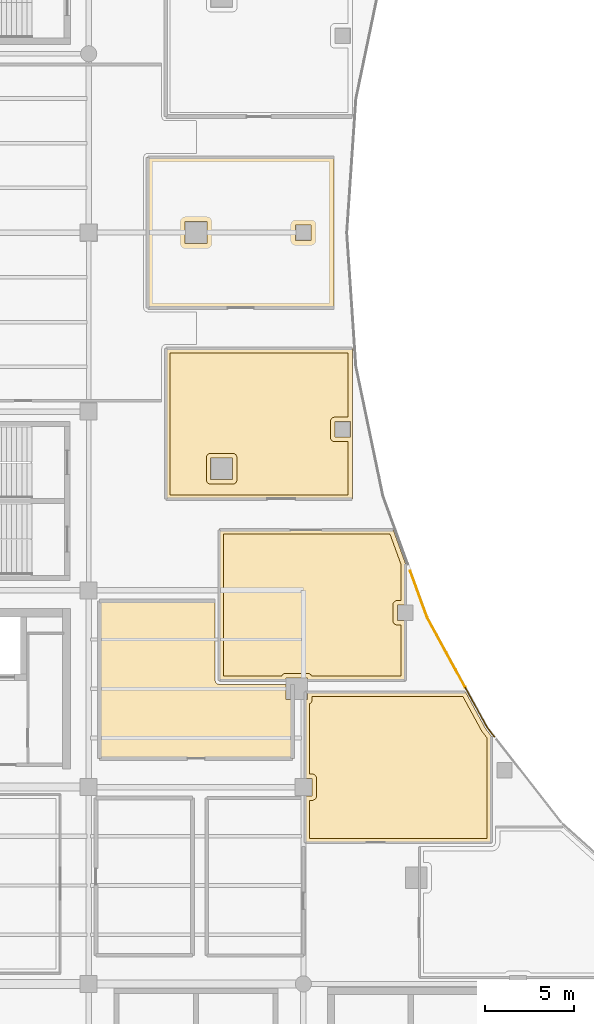
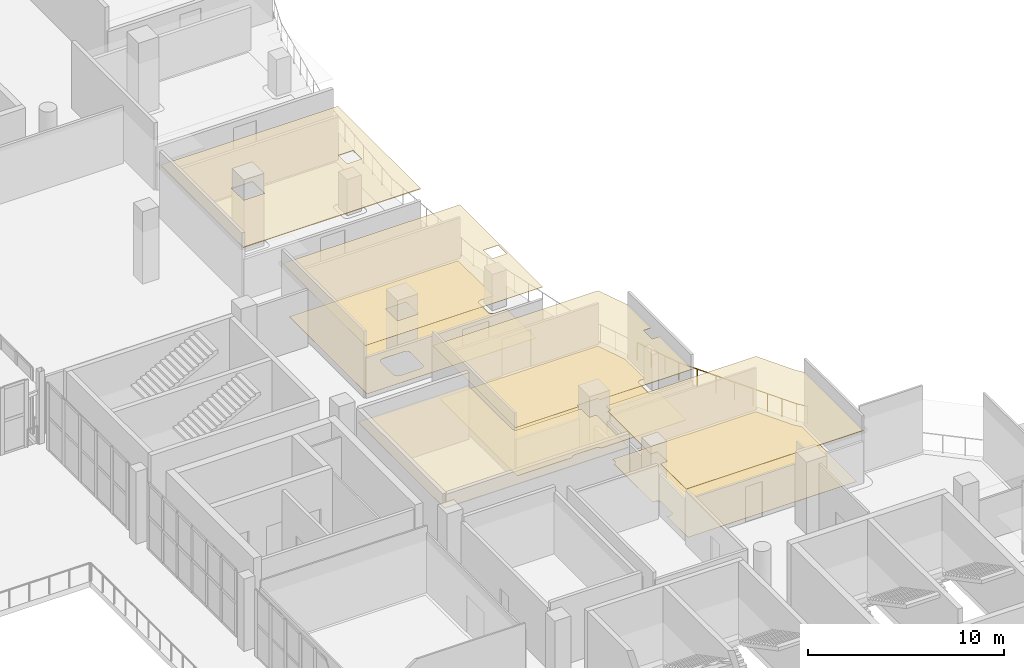
# One storey, part 81 of 90: 8 coverings, 2 railings.
"""IFC4 building model written with IfcOpenShell, lengths in metres."""

from ifc_helpers import new_model, si_unit, direction, frame, origin, origin_2d, place, context, subcontext, project, spatial, polyline, circle, outline, extrude, material, layer, layer_set, type_object, element, save


model = new_model("IFC4")

# Units and contexts
model_context = context("Model", 3, precision=1e-05, world=origin(), true_north=direction((0.0, 1.0)))
body_context = subcontext(model_context, "Body", "Model", "MODEL_VIEW")
ifc_project = project(units=[si_unit("LENGTHUNIT", "METRE"), si_unit("AREAUNIT", "SQUARE_METRE"), si_unit("VOLUMEUNIT", "CUBIC_METRE"), si_unit("PLANEANGLEUNIT", "RADIAN"), si_unit("MASSUNIT", "GRAM", prefix="KILO")], contexts=[model_context])

# Site, building, storey
site_placement = place(None, origin())
site = spatial("IfcSite", under=ifc_project, at=site_placement, CompositionType="ELEMENT")
building_placement = place(site_placement, origin())
building = spatial("IfcBuilding", under=site, at=building_placement, Name="Brinegate Civic Arena", CompositionType="ELEMENT")
storey_placement = place(building_placement, frame((0.0, 0.0, 14.699951171875)))
storey = spatial("IfcBuildingStorey", under=building, at=storey_placement, Name="L03", CompositionType="ELEMENT", Elevation=14.699951171875)

# Coverings
ifc_material_1 = material(Name="Acoustic perforated aluminium ceiling", Category="aluminium")
ifc_layer_1 = layer(ifc_material_1, 0.02490234375, Name="Acoustic perforated aluminium ceiling")
ifc_layer_set_1 = layer_set([ifc_layer_1], Name="Acoustic perforated aluminium ceiling")
covering_type_1 = type_object("IfcCoveringType", Name="CEILING-ACOUSTIC-25", PredefinedType="CEILING", material=ifc_layer_set_1)
covering_1_placement = place(storey_placement, frame((0.0, 0.0, 3.235107421875)))
element("IfcCovering", 1, at=covering_1_placement, inside=storey, type_object=covering_type_1, Name="Acoustic Ceiling L03-207", PredefinedType="CEILING", context=body_context, shape_type="SweptSolid", body=[
    extrude(outline(polyline([(67.2939453125, 36.95703125), (67.2919921875, 36.9580078125), (67.2900390625, 36.958984375), (67.2890625, 36.958984375), (67.287109375, 36.9599609375), (67.284912109375, 36.9619140625), (67.283935546875, 36.962890625), (67.282958984375, 36.964111328125), (67.281005859375, 36.966064453125), (67.280029296875, 36.968017578125), (67.280029296875, 36.968994140625), (67.279052734375, 36.970947265625), (67.278076171875, 36.972900390625), (67.278076171875, 36.97509765625), (67.278076171875, 36.97705078125), (67.278076171875, 45.376953125), (67.278076171875, 45.37890625), (67.278076171875, 45.381103515625), (67.279052734375, 45.383056640625), (67.280029296875, 45.385009765625), (67.280029296875, 45.385986328125), (67.281005859375, 45.387939453125), (67.282958984375, 45.389892578125), (67.283935546875, 45.39111328125), (67.284912109375, 45.39208984375), (67.287109375, 45.39404296875), (67.2890625, 45.39501953125), (67.2900390625, 45.39501953125), (67.2919921875, 45.39599609375), (67.2939453125, 45.39697265625), (67.2958984375, 45.39697265625), (67.298095703125, 45.39697265625), (77.0029296875, 45.39697265625), (77.0048828125, 45.39697265625), (77.007080078125, 45.39697265625), (77.009033203125, 45.39599609375), (77.010986328125, 45.39501953125), (77.012939453125, 45.39404296875), (77.013916015625, 45.39306640625), (77.01611328125, 45.39208984375), (77.01806640625, 45.39111328125), (77.01904296875, 45.388916015625), (77.02001953125, 45.386962890625), (77.02099609375, 45.385986328125), (77.02197265625, 45.384033203125), (77.717041015625, 43.471923828125), (77.717041015625, 43.469970703125), (77.718017578125, 43.468017578125), (77.718017578125, 43.467041015625), (77.718017578125, 43.465087890625), (77.718017578125, 41.18505859375), (77.25390625, 41.18505859375), (77.25390625, 40.31494140625), (77.718017578125, 40.31494140625), (77.718017578125, 36.97705078125), (77.718017578125, 36.97509765625), (77.718017578125, 36.972900390625), (77.717041015625, 36.970947265625), (77.716064453125, 36.968994140625), (77.716064453125, 36.968017578125), (77.715087890625, 36.966064453125), (77.712890625, 36.964111328125), (77.7119140625, 36.962890625), (77.7109375, 36.9619140625), (77.708984375, 36.9599609375), (77.70703125, 36.958984375), (77.7060546875, 36.958984375), (77.7041015625, 36.9580078125), (77.701904296875, 36.95703125), (77.699951171875, 36.95703125), (77.697998046875, 36.95703125), (72.237060546875, 36.95703125), (72.237060546875, 37.110107421875), (71.01708984375, 37.110107421875), (71.01708984375, 36.95703125), (67.298095703125, 36.95703125), (67.2958984375, 36.95703125), (67.2939453125, 36.95703125)])), origin(), (0.0, 0.0, 1.0), 0.02490234375),
])
ifc_layer_2 = layer(ifc_material_1, 0.034912109375, Name="Acoustic perforated aluminium ceiling")
ifc_layer_set_2 = layer_set([ifc_layer_2], Name="Acoustic perforated aluminium ceiling")
covering_type_2 = type_object("IfcCoveringType", Name="CEILING-ACOUSTIC-35", PredefinedType="CEILING", material=ifc_layer_set_2)
covering_2_placement = place(storey_placement, frame((0.0, 0.0, 3.22509765625)))
element("IfcCovering", 2, at=covering_2_placement, inside=storey, type_object=covering_type_2, Name="Acoustic Ceiling L03-208", PredefinedType="CEILING", context=body_context, shape_type="SweptSolid", body=[
    extrude(outline(polyline([(72.09912109375, 27.886962890625), (72.096923828125, 27.887939453125), (72.094970703125, 27.888916015625), (72.093994140625, 27.888916015625), (72.092041015625, 27.889892578125), (72.090087890625, 27.89208984375), (72.089111328125, 27.89306640625), (72.087890625, 27.89404296875), (72.0859375, 27.89599609375), (72.0849609375, 27.89794921875), (72.0849609375, 27.89892578125), (72.083984375, 27.90087890625), (72.0830078125, 27.903076171875), (72.0830078125, 27.905029296875), (72.0830078125, 27.906982421875), (72.0830078125, 30.514892578125), (72.485107421875, 30.514892578125), (72.485107421875, 31.485107421875), (72.0830078125, 31.485107421875), (72.0830078125, 35.889892578125), (72.237060546875, 35.889892578125), (72.237060546875, 36.326904296875), (81.048095703125, 36.326904296875), (81.050048828125, 36.326904296875), (81.052001953125, 36.326904296875), (81.053955078125, 36.325927734375), (81.055908203125, 36.325927734375), (81.056884765625, 36.324951171875), (81.05908203125, 36.323974609375), (81.06103515625, 36.322998046875), (81.06201171875, 36.321044921875), (81.06298828125, 36.320068359375), (81.06494140625, 36.318115234375), (81.06591796875, 36.31689453125), (82.178955078125, 34.27392578125), (82.196044921875, 34.2490234375), (82.51904296875, 33.8349609375), (82.52001953125, 33.833984375), (82.52099609375, 33.83203125), (82.52197265625, 33.830078125), (82.52197265625, 33.8291015625), (82.52294921875, 33.826904296875), (82.52294921875, 33.824951171875), (82.52294921875, 33.822998046875), (82.52294921875, 27.906982421875), (82.52294921875, 27.905029296875), (82.52294921875, 27.903076171875), (82.52197265625, 27.90087890625), (82.52099609375, 27.89892578125), (82.52099609375, 27.89794921875), (82.52001953125, 27.89599609375), (82.51806640625, 27.89404296875), (82.51708984375, 27.89306640625), (82.51611328125, 27.89208984375), (82.513916015625, 27.889892578125), (82.511962890625, 27.888916015625), (82.510986328125, 27.888916015625), (82.509033203125, 27.887939453125), (82.507080078125, 27.886962890625), (82.5048828125, 27.886962890625), (82.5029296875, 27.886962890625), (72.10302734375, 27.886962890625), (72.10107421875, 27.886962890625), (72.09912109375, 27.886962890625)])), origin(), (0.0, 0.0, 1.0), 0.034912109375),
])
ifc_layer_3 = layer(ifc_material_1, 0.044921875, Name="Acoustic perforated aluminium ceiling")
ifc_layer_set_3 = layer_set([ifc_layer_3], Name="Acoustic perforated aluminium ceiling")
covering_type_3 = type_object("IfcCoveringType", Name="CEILING-BAFFLE-45", PredefinedType="CEILING", material=ifc_layer_set_3)
covering_3_placement = place(storey_placement, frame((0.0, 0.0, 3.215087890625)))
element("IfcCovering", 3, at=covering_3_placement, inside=storey, type_object=covering_type_3, Name="Acoustic Ceiling L03-205", PredefinedType="CEILING", context=body_context, shape_type="SweptSolid", body=[
    extrude(outline(polyline([(73.7041015625, 66.219970703125), (73.7060546875, 66.218994140625), (73.7080078125, 66.218017578125), (73.708984375, 66.218017578125), (73.7109375, 66.217041015625), (73.712890625, 66.215087890625), (73.714111328125, 66.214111328125), (73.715087890625, 66.212890625), (73.717041015625, 66.2109375), (73.718017578125, 66.208984375), (73.718017578125, 66.2080078125), (73.718994140625, 66.2060546875), (73.719970703125, 66.2041015625), (73.719970703125, 66.201904296875), (73.719970703125, 66.199951171875), (73.719970703125, 57.800048828125), (73.719970703125, 57.798095703125), (73.719970703125, 57.7958984375), (73.718994140625, 57.7939453125), (73.718017578125, 57.7919921875), (73.718017578125, 57.791015625), (73.717041015625, 57.7890625), (73.715087890625, 57.787109375), (73.714111328125, 57.785888671875), (73.712890625, 57.784912109375), (73.7109375, 57.782958984375), (73.708984375, 57.781982421875), (73.7080078125, 57.781982421875), (73.7060546875, 57.781005859375), (73.7041015625, 57.780029296875), (73.701904296875, 57.780029296875), (73.699951171875, 57.780029296875), (63.300048828125, 57.780029296875), (63.298095703125, 57.780029296875), (63.2958984375, 57.780029296875), (63.2939453125, 57.781005859375), (63.2919921875, 57.781982421875), (63.291015625, 57.781982421875), (63.2890625, 57.782958984375), (63.287109375, 57.784912109375), (63.285888671875, 57.785888671875), (63.284912109375, 57.787109375), (63.282958984375, 57.7890625), (63.281982421875, 57.791015625), (63.281982421875, 57.7919921875), (63.281005859375, 57.7939453125), (63.280029296875, 57.7958984375), (63.280029296875, 57.798095703125), (63.280029296875, 57.800048828125), (63.280029296875, 66.199951171875), (63.280029296875, 66.201904296875), (63.280029296875, 66.2041015625), (63.281005859375, 66.2060546875), (63.281982421875, 66.2080078125), (63.281982421875, 66.208984375), (63.282958984375, 66.2109375), (63.284912109375, 66.212890625), (63.285888671875, 66.214111328125), (63.287109375, 66.215087890625), (63.2890625, 66.217041015625), (63.291015625, 66.218017578125), (63.2919921875, 66.218017578125), (63.2939453125, 66.218994140625), (63.2958984375, 66.219970703125), (63.298095703125, 66.219970703125), (63.300048828125, 66.219970703125), (73.699951171875, 66.219970703125), (73.701904296875, 66.219970703125), (73.7041015625, 66.219970703125)]), holes=[polyline([(71.56494140625, 62.43505859375), (71.56494140625, 61.56494140625), (72.43505859375, 61.56494140625), (72.43505859375, 62.43505859375), (71.56494140625, 62.43505859375)]), polyline([(65.389892578125, 62.610107421875), (65.389892578125, 61.389892578125), (66.610107421875, 61.389892578125), (66.610107421875, 62.610107421875), (65.389892578125, 62.610107421875)])]), origin(), (0.0, 0.0, 1.0), 0.044921875),
])
covering_4_placement = place(storey_placement, frame((0.0, 0.0, 3.215087890625)))
element("IfcCovering", 4, at=covering_4_placement, inside=storey, type_object=covering_type_3, Name="Acoustic Ceiling L03-004", PredefinedType="CEILING", context=body_context, shape_type="SweptSolid", body=[
    extrude(outline(polyline([(67.052001953125, 41.419921875), (67.053955078125, 41.4189453125), (67.055908203125, 41.41796875), (67.056884765625, 41.41796875), (67.05908203125, 41.4169921875), (67.06103515625, 41.4150390625), (67.06201171875, 41.4140625), (67.06298828125, 41.4130859375), (67.06494140625, 41.410888671875), (67.06591796875, 41.408935546875), (67.06591796875, 41.407958984375), (67.06689453125, 41.406005859375), (67.068115234375, 41.404052734375), (67.068115234375, 41.402099609375), (67.068115234375, 41.39990234375), (67.068115234375, 36.97705078125), (67.069091796875, 36.9541015625), (67.077880859375, 36.909912109375), (67.095947265625, 36.867919921875), (67.12109375, 36.830078125), (67.135009765625, 36.81396484375), (67.15087890625, 36.800048828125), (67.18896484375, 36.77490234375), (67.23095703125, 36.757080078125), (67.251953125, 36.751953125), (67.299072265625, 36.7470703125), (71.01708984375, 36.7470703125), (71.01708984375, 35.889892578125), (71.419921875, 35.889892578125), (71.419921875, 32.60009765625), (71.419921875, 32.597900390625), (71.419921875, 32.595947265625), (71.4189453125, 32.593994140625), (71.41796875, 32.592041015625), (71.41796875, 32.591064453125), (71.4169921875, 32.589111328125), (71.4150390625, 32.5869140625), (71.4140625, 32.5859375), (71.4130859375, 32.5849609375), (71.410888671875, 32.5830078125), (71.408935546875, 32.58203125), (71.407958984375, 32.58203125), (71.406005859375, 32.5810546875), (71.404052734375, 32.580078125), (71.402099609375, 32.580078125), (71.39990234375, 32.580078125), (60.60009765625, 32.580078125), (60.597900390625, 32.580078125), (60.595947265625, 32.580078125), (60.593994140625, 32.5810546875), (60.592041015625, 32.58203125), (60.591064453125, 32.58203125), (60.589111328125, 32.5830078125), (60.5869140625, 32.5849609375), (60.5859375, 32.5859375), (60.5849609375, 32.5869140625), (60.5830078125, 32.589111328125), (60.58203125, 32.591064453125), (60.58203125, 32.592041015625), (60.5810546875, 32.593994140625), (60.580078125, 32.595947265625), (60.580078125, 32.597900390625), (60.580078125, 32.60009765625), (60.580078125, 41.39990234375), (60.580078125, 41.402099609375), (60.580078125, 41.404052734375), (60.5810546875, 41.406005859375), (60.58203125, 41.407958984375), (60.58203125, 41.408935546875), (60.5830078125, 41.410888671875), (60.5849609375, 41.4130859375), (60.5859375, 41.4140625), (60.5869140625, 41.4150390625), (60.589111328125, 41.4169921875), (60.591064453125, 41.41796875), (60.592041015625, 41.41796875), (60.593994140625, 41.4189453125), (60.595947265625, 41.419921875), (60.597900390625, 41.419921875), (60.60009765625, 41.419921875), (67.048095703125, 41.419921875), (67.050048828125, 41.419921875), (67.052001953125, 41.419921875)])), origin(), (0.0, 0.0, 1.0), 0.044921875),
])
ifc_layer_4 = layer(ifc_material_1, 0.01806640625, Name="Acoustic perforated aluminium ceiling")
ifc_layer_set_4 = layer_set([ifc_layer_4], Name="Acoustic perforated aluminium ceiling")
covering_type_4 = type_object("IfcCoveringType", Name="CEILING-MOISTURE-18", PredefinedType="CEILING", material=ifc_layer_set_4)
covering_5_placement = place(storey_placement, frame((0.0, 0.0, 3.241943359375)))
element("IfcCovering", 5, at=covering_5_placement, inside=storey, type_object=covering_type_4, Name="Acoustic Ceiling L03-206", PredefinedType="CEILING", context=body_context, shape_type="SweptSolid", body=[
    extrude(outline(polyline([(74.716064453125, 55.534912109375), (74.718017578125, 55.533935546875), (74.719970703125, 55.532958984375), (74.720947265625, 55.532958984375), (74.722900390625, 55.531982421875), (74.72509765625, 55.530029296875), (74.72607421875, 55.529052734375), (74.72705078125, 55.528076171875), (74.72900390625, 55.52587890625), (74.72998046875, 55.52392578125), (74.72998046875, 55.52294921875), (74.73095703125, 55.52099609375), (74.73193359375, 55.51904296875), (74.73193359375, 55.51708984375), (74.73193359375, 55.514892578125), (74.73193359375, 47.114990234375), (74.73193359375, 47.113037109375), (74.73193359375, 47.111083984375), (74.73095703125, 47.10888671875), (74.72998046875, 47.10693359375), (74.72998046875, 47.10595703125), (74.72900390625, 47.10400390625), (74.72705078125, 47.10205078125), (74.72607421875, 47.10107421875), (74.72509765625, 47.10009765625), (74.722900390625, 47.097900390625), (74.720947265625, 47.096923828125), (74.719970703125, 47.096923828125), (74.718017578125, 47.095947265625), (74.716064453125, 47.094970703125), (74.714111328125, 47.094970703125), (74.7119140625, 47.094970703125), (64.31201171875, 47.094970703125), (64.31005859375, 47.094970703125), (64.30810546875, 47.094970703125), (64.305908203125, 47.095947265625), (64.303955078125, 47.096923828125), (64.302978515625, 47.096923828125), (64.301025390625, 47.097900390625), (64.299072265625, 47.10009765625), (64.298095703125, 47.10107421875), (64.297119140625, 47.10205078125), (64.294921875, 47.10400390625), (64.2939453125, 47.10595703125), (64.2939453125, 47.10693359375), (64.29296875, 47.10888671875), (64.2919921875, 47.111083984375), (64.2919921875, 47.113037109375), (64.2919921875, 47.114990234375), (64.2919921875, 55.514892578125), (64.2919921875, 55.51708984375), (64.2919921875, 55.51904296875), (64.29296875, 55.52099609375), (64.2939453125, 55.52294921875), (64.2939453125, 55.52392578125), (64.294921875, 55.52587890625), (64.297119140625, 55.528076171875), (64.298095703125, 55.529052734375), (64.299072265625, 55.530029296875), (64.301025390625, 55.531982421875), (64.302978515625, 55.532958984375), (64.303955078125, 55.532958984375), (64.305908203125, 55.533935546875), (64.30810546875, 55.534912109375), (64.31005859375, 55.534912109375), (64.31201171875, 55.534912109375), (74.7119140625, 55.534912109375), (74.714111328125, 55.534912109375), (74.716064453125, 55.534912109375)]), holes=[polyline([(66.821044921875, 49.409912109375), (66.821044921875, 48.18994140625), (68.041015625, 48.18994140625), (68.041015625, 49.409912109375), (66.821044921875, 49.409912109375)]), polyline([(73.758056640625, 51.43505859375), (73.758056640625, 50.56494140625), (74.6279296875, 50.56494140625), (74.6279296875, 51.43505859375), (73.758056640625, 51.43505859375)])]), origin(), (0.0, 0.0, 1.0), 0.01806640625),
])
ifc_material_2 = material(Name="Polished coral terrazzo flooring")
ifc_layer_5 = layer(ifc_material_2, 0.013916015625, Name="Polished coral terrazzo flooring")
ifc_layer_set_5 = layer_set([ifc_layer_5], Name="Polished coral terrazzo flooring")
covering_type_5 = type_object("IfcCoveringType", Name="FLOORING-ACOUSTIC-14", PredefinedType="FLOORING", material=ifc_layer_set_5)
covering_6_placement = place(storey_placement, origin())
element("IfcCovering", 6, at=covering_6_placement, inside=storey, type_object=covering_type_5, Name="Flooring L03-206", PredefinedType="FLOORING", context=body_context, shape_type="SweptSolid", body=[
    extrude(outline(polyline([(64.5419921875, 55.284912109375), (74.48193359375, 55.284912109375), (74.48193359375, 51.68505859375), (73.758056640625, 51.68505859375), (73.73291015625, 51.68408203125), (73.708984375, 51.679931640625), (73.68505859375, 51.674072265625), (73.662109375, 51.666015625), (73.639892578125, 51.655029296875), (73.618896484375, 51.64306640625), (73.59912109375, 51.6279296875), (73.5810546875, 51.612060546875), (73.56494140625, 51.593994140625), (73.550048828125, 51.573974609375), (73.5380859375, 51.552978515625), (73.527099609375, 51.531005859375), (73.51904296875, 51.508056640625), (73.512939453125, 51.48388671875), (73.509033203125, 51.4599609375), (73.508056640625, 51.43505859375), (73.508056640625, 50.56494140625), (73.509033203125, 50.5400390625), (73.512939453125, 50.51611328125), (73.51904296875, 50.491943359375), (73.527099609375, 50.468994140625), (73.5380859375, 50.447021484375), (73.550048828125, 50.426025390625), (73.56494140625, 50.406005859375), (73.5810546875, 50.387939453125), (73.59912109375, 50.3720703125), (73.618896484375, 50.35693359375), (73.639892578125, 50.344970703125), (73.662109375, 50.333984375), (73.68505859375, 50.325927734375), (73.708984375, 50.320068359375), (73.73291015625, 50.31591796875), (73.758056640625, 50.31494140625), (74.48193359375, 50.31494140625), (74.48193359375, 47.344970703125), (64.5419921875, 47.344970703125), (64.5419921875, 55.284912109375)]), holes=[polyline([(66.821044921875, 49.659912109375), (66.7958984375, 49.658935546875), (66.77197265625, 49.655029296875), (66.748046875, 49.64892578125), (66.72509765625, 49.64111328125), (66.702880859375, 49.6298828125), (66.681884765625, 49.617919921875), (66.662109375, 49.60302734375), (66.64404296875, 49.5869140625), (66.6279296875, 49.569091796875), (66.613037109375, 49.549072265625), (66.60107421875, 49.528076171875), (66.590087890625, 49.506103515625), (66.58203125, 49.48291015625), (66.575927734375, 49.458984375), (66.572021484375, 49.43505859375), (66.571044921875, 49.409912109375), (66.571044921875, 48.18994140625), (66.572021484375, 48.1650390625), (66.575927734375, 48.14111328125), (66.58203125, 48.116943359375), (66.590087890625, 48.093994140625), (66.60107421875, 48.072021484375), (66.613037109375, 48.051025390625), (66.6279296875, 48.031005859375), (66.64404296875, 48.012939453125), (66.662109375, 47.9970703125), (66.681884765625, 47.98193359375), (66.702880859375, 47.969970703125), (66.72509765625, 47.958984375), (66.748046875, 47.950927734375), (66.77197265625, 47.945068359375), (66.7958984375, 47.94091796875), (66.821044921875, 47.93994140625), (68.041015625, 47.93994140625), (68.06591796875, 47.94091796875), (68.090087890625, 47.945068359375), (68.114013671875, 47.950927734375), (68.136962890625, 47.958984375), (68.158935546875, 47.969970703125), (68.179931640625, 47.98193359375), (68.199951171875, 47.9970703125), (68.218017578125, 48.012939453125), (68.23388671875, 48.031005859375), (68.2490234375, 48.051025390625), (68.260986328125, 48.072021484375), (68.27197265625, 48.093994140625), (68.280029296875, 48.116943359375), (68.285888671875, 48.14111328125), (68.2900390625, 48.1650390625), (68.291015625, 48.18994140625), (68.291015625, 49.409912109375), (68.2900390625, 49.43505859375), (68.285888671875, 49.458984375), (68.280029296875, 49.48291015625), (68.27197265625, 49.506103515625), (68.260986328125, 49.528076171875), (68.2490234375, 49.549072265625), (68.23388671875, 49.569091796875), (68.218017578125, 49.5869140625), (68.199951171875, 49.60302734375), (68.179931640625, 49.617919921875), (68.158935546875, 49.6298828125), (68.136962890625, 49.64111328125), (68.114013671875, 49.64892578125), (68.090087890625, 49.655029296875), (68.06591796875, 49.658935546875), (68.041015625, 49.659912109375), (66.821044921875, 49.659912109375)])]), origin(), (0.0, 0.0, 1.0), 0.01416015625),
])
covering_7_placement = place(storey_placement, origin())
element("IfcCovering", 7, at=covering_7_placement, inside=storey, type_object=covering_type_5, Name="Flooring L03-208", PredefinedType="FLOORING", context=body_context, shape_type="SweptSolid", body=[
    extrude(outline(polyline([(72.3330078125, 28.136962890625), (72.3330078125, 30.264892578125), (72.485107421875, 30.264892578125), (72.510009765625, 30.26611328125), (72.533935546875, 30.27001953125), (72.55810546875, 30.27587890625), (72.5810546875, 30.283935546875), (72.60302734375, 30.294921875), (72.6240234375, 30.306884765625), (72.64404296875, 30.322021484375), (72.662109375, 30.337890625), (72.677978515625, 30.35595703125), (72.693115234375, 30.3759765625), (72.705078125, 30.39697265625), (72.716064453125, 30.4189453125), (72.72412109375, 30.44189453125), (72.72998046875, 30.466064453125), (72.73388671875, 30.489990234375), (72.735107421875, 30.514892578125), (72.735107421875, 31.485107421875), (72.73388671875, 31.510009765625), (72.72998046875, 31.533935546875), (72.72412109375, 31.55810546875), (72.716064453125, 31.5810546875), (72.705078125, 31.60302734375), (72.693115234375, 31.6240234375), (72.677978515625, 31.64404296875), (72.662109375, 31.662109375), (72.64404296875, 31.677978515625), (72.6240234375, 31.693115234375), (72.60302734375, 31.705078125), (72.5810546875, 31.716064453125), (72.55810546875, 31.72412109375), (72.533935546875, 31.72998046875), (72.510009765625, 31.73388671875), (72.485107421875, 31.735107421875), (72.3330078125, 31.735107421875), (72.3330078125, 35.658935546875), (72.35498046875, 35.669921875), (72.3759765625, 35.681884765625), (72.39599609375, 35.697021484375), (72.4140625, 35.712890625), (72.429931640625, 35.73095703125), (72.445068359375, 35.7509765625), (72.45703125, 35.77197265625), (72.468017578125, 35.7939453125), (72.47607421875, 35.81689453125), (72.48193359375, 35.841064453125), (72.486083984375, 35.864990234375), (72.487060546875, 35.889892578125), (72.487060546875, 36.076904296875), (80.910888671875, 36.076904296875), (81.9599609375, 34.155029296875), (81.970947265625, 34.135986328125), (81.988037109375, 34.110107421875), (81.9990234375, 34.094970703125), (82.27294921875, 33.743896484375), (82.27294921875, 28.136962890625), (72.3330078125, 28.136962890625)])), origin(), (0.0, 0.0, 1.0), 0.01416015625),
])
ifc_layer_6 = layer(ifc_material_2, 0.028076171875, Name="Polished coral terrazzo flooring")
ifc_layer_set_6 = layer_set([ifc_layer_6], Name="Polished coral terrazzo flooring")
covering_type_6 = type_object("IfcCoveringType", Name="FLOORING-TERRAZZO-28", PredefinedType="FLOORING", material=ifc_layer_set_6)
covering_8_placement = place(storey_placement, origin())
element("IfcCovering", 8, at=covering_8_placement, inside=storey, type_object=covering_type_6, Name="Flooring L03-207", PredefinedType="FLOORING", context=body_context, shape_type="SweptSolid", body=[
    extrude(outline(polyline([(67.528076171875, 37.20703125), (67.528076171875, 45.14697265625), (76.842041015625, 45.14697265625), (77.468017578125, 43.424072265625), (77.468017578125, 41.43505859375), (77.25390625, 41.43505859375), (77.22900390625, 41.43408203125), (77.205078125, 41.429931640625), (77.180908203125, 41.424072265625), (77.157958984375, 41.416015625), (77.135986328125, 41.405029296875), (77.114990234375, 41.39306640625), (77.094970703125, 41.3779296875), (77.076904296875, 41.362060546875), (77.06103515625, 41.343994140625), (77.0458984375, 41.323974609375), (77.033935546875, 41.302978515625), (77.02294921875, 41.281005859375), (77.014892578125, 41.258056640625), (77.009033203125, 41.23388671875), (77.0048828125, 41.2099609375), (77.00390625, 41.18505859375), (77.00390625, 40.31494140625), (77.0048828125, 40.2900390625), (77.009033203125, 40.26611328125), (77.014892578125, 40.241943359375), (77.02294921875, 40.218994140625), (77.033935546875, 40.197021484375), (77.0458984375, 40.176025390625), (77.06103515625, 40.156005859375), (77.076904296875, 40.137939453125), (77.094970703125, 40.1220703125), (77.114990234375, 40.10693359375), (77.135986328125, 40.094970703125), (77.157958984375, 40.083984375), (77.180908203125, 40.075927734375), (77.205078125, 40.070068359375), (77.22900390625, 40.06591796875), (77.25390625, 40.06494140625), (77.468017578125, 40.06494140625), (77.468017578125, 37.20703125), (72.467041015625, 37.20703125), (72.45703125, 37.22802734375), (72.445068359375, 37.2490234375), (72.429931640625, 37.26904296875), (72.4140625, 37.287109375), (72.39599609375, 37.302978515625), (72.3759765625, 37.318115234375), (72.35498046875, 37.330078125), (72.3330078125, 37.341064453125), (72.31005859375, 37.34912109375), (72.285888671875, 37.35498046875), (72.261962890625, 37.35888671875), (72.237060546875, 37.360107421875), (71.01708984375, 37.360107421875), (70.991943359375, 37.35888671875), (70.968017578125, 37.35498046875), (70.944091796875, 37.34912109375), (70.9208984375, 37.341064453125), (70.89892578125, 37.330078125), (70.8779296875, 37.318115234375), (70.85791015625, 37.302978515625), (70.840087890625, 37.287109375), (70.823974609375, 37.26904296875), (70.80908203125, 37.2490234375), (70.797119140625, 37.22802734375), (70.787109375, 37.20703125), (67.528076171875, 37.20703125)])), origin(), (0.0, 0.0, 1.0), 0.028076171875),
])

# Railings
ifc_material_3 = material(Name="Architectural stainless steel balustrade", Category="steel")
railing_type = type_object("IfcRailingType", Name="RAIL-VOID-BALUSTRADE-1120", PredefinedType="BALUSTRADE", material=ifc_material_3)
railing_1_placement = place(storey_placement, frame((77.97802734375, 43.074951171875, 0.0)))
element("IfcRailing", 9, at=railing_1_placement, inside=storey, type_object=railing_type, Name="Deck Edge Balustrade L03-317", PredefinedType="BALUSTRADE", context=body_context, shape_type="SweptSolid", body=[
    extrude(circle(Radius=0.02392578125, at=origin_2d()), frame((0.00048828125, -0.00146484375, 1.09619140625), z_axis=(0.341438200505, -0.939904226629, 0.0), x_axis=(0.939904226629, 0.341438200505, 0.0)), (0.0, 0.0, 1.0), 2.761962890625),
    extrude(circle(Radius=0.02392578125, at=origin_2d()), frame((0.94482421875, -2.60009765625, 1.09619140625), z_axis=(0.478763316176, -0.877944011361, 0.0), x_axis=(0.877944011361, 0.478763316176, 0.0)), (0.0, 0.0, 1.0), 4.4267578125),
    extrude(circle(Radius=0.02099609375, at=origin_2d()), origin(), (0.0, 0.0, 1.0), 1.070068359375),
    extrude(circle(Radius=0.02099609375, at=origin_2d()), frame((0.314697265625, -0.8662109375, 0.0)), (0.0, 0.0, 1.0), 1.070068359375),
    extrude(circle(Radius=0.02099609375, at=origin_2d()), frame((0.62939453125, -1.732666015625, 0.0)), (0.0, 0.0, 1.0), 1.070068359375),
    extrude(circle(Radius=0.02099609375, at=origin_2d()), frame((0.944091796875, -2.598876953125, 0.0)), (0.0, 0.0, 1.0), 1.070068359375),
    extrude(circle(Radius=0.02099609375, at=origin_2d()), frame((1.474365234375, -3.5712890625, 0.0)), (0.0, 0.0, 1.0), 1.070068359375),
    extrude(circle(Radius=0.02099609375, at=origin_2d()), frame((2.00439453125, -4.54345703125, 0.0)), (0.0, 0.0, 1.0), 1.070068359375),
    extrude(circle(Radius=0.02099609375, at=origin_2d()), frame((2.53466796875, -5.515625, 0.0)), (0.0, 0.0, 1.0), 1.070068359375),
    extrude(circle(Radius=0.02099609375, at=origin_2d()), frame((3.06494140625, -6.488037109375, 0.0)), (0.0, 0.0, 1.0), 1.070068359375),
])
railing_2_placement = place(storey_placement, frame((81.048095703125, 36.577880859375, 0.0)))
element("IfcRailing", 10, at=railing_2_placement, inside=storey, type_object=railing_type, Name="Deck Edge Balustrade L03-318", PredefinedType="BALUSTRADE", context=body_context, shape_type="SweptSolid", body=[
    extrude(circle(Radius=0.02392578125, at=origin_2d()), frame((0.000732421875, -0.001220703125, 1.09619140625), z_axis=(0.47905214306, -0.877786445686, 0.0), x_axis=(0.877786445686, 0.47905214306, 0.0)), (0.0, 0.0, 1.0), 2.5625),
    extrude(circle(Radius=0.02392578125, at=origin_2d()), frame((1.22998046875, -2.253173828125, 1.09619140625), z_axis=(0.613648680801, -0.789579189538, 0.0), x_axis=(0.789579189538, 0.613648680801, 0.0)), (0.0, 0.0, 1.0), 0.634033203125),
    extrude(circle(Radius=0.02099609375, at=origin_2d()), origin(), (0.0, 0.0, 1.0), 1.070068359375),
    extrude(circle(Radius=0.02099609375, at=origin_2d()), frame((0.40966796875, -0.750732421875, 0.0)), (0.0, 0.0, 1.0), 1.070068359375),
    extrude(circle(Radius=0.02099609375, at=origin_2d()), frame((0.8193359375, -1.501220703125, 0.0)), (0.0, 0.0, 1.0), 1.070068359375),
    extrude(circle(Radius=0.02099609375, at=origin_2d()), frame((1.22900390625, -2.251953125, 0.0)), (0.0, 0.0, 1.0), 1.070068359375),
    extrude(circle(Radius=0.02099609375, at=origin_2d()), frame((1.619873046875, -2.7548828125, 0.0)), (0.0, 0.0, 1.0), 1.070068359375),
])

save(model, "model.ifc")
